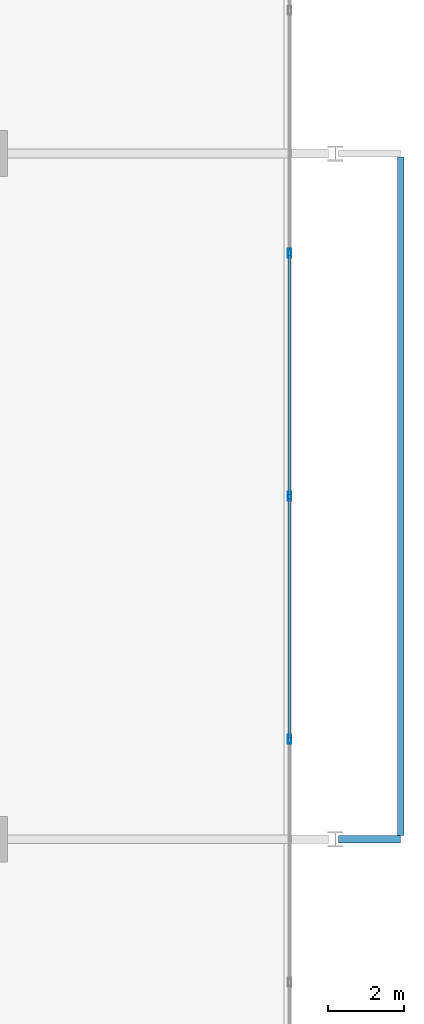
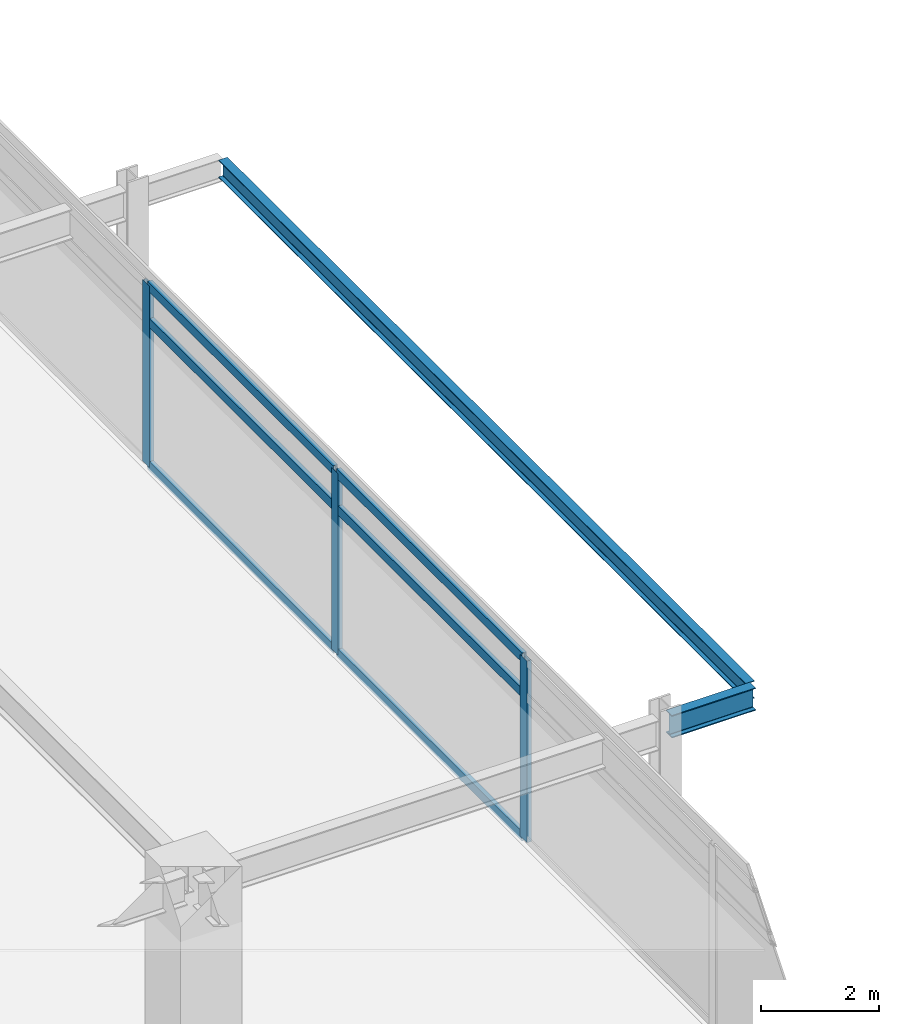
# One storey, part 8 of 19: 9 members, 2 beams, 1 element without a shape of its own.
"""IFC4 building model written with IfcOpenShell, lengths in metres."""

import ifcopenshell
import ifcopenshell.guid

model = None  # the IFC model being written
_history = None  # IfcOwnerHistory: only IFC2X3 demands one
_inside = {}  # id of a spatial element -> (the spatial element, [elements in it])
_under = {}  # id of a project, library or spatial element -> (it, [spatial elements below it])
_declared = {}  # id of a project -> (the project, [libraries it declares])
_typed = {}  # id of a type object -> (the type object, [elements of that type])
_made_of = {}  # id of a material, layer set ... -> (it, [elements and type objects made of it])


def new_model(schema):
    """Start an empty IFC model of exactly this schema.

    Asked for "IFC4X3", IfcOpenShell would pick the latest addendum, in which some entities
    have other attributes; the version numbers below select the first issue.
    IFC2X3 requires an IfcOwnerHistory on every rooted entity: one is made here for all.
    """
    global model, _history
    if schema == "IFC4X3":
        model = ifcopenshell.file(schema_version=(4, 3, 0, 0))
    else:
        model = ifcopenshell.file(schema=schema)
    _inside.clear()
    _under.clear()
    _declared.clear()
    _typed.clear()
    _made_of.clear()
    _history = None
    if model.schema == "IFC2X3":
        org = make("IfcOrganization", Name="unknown")
        user = make(
            "IfcPersonAndOrganization",
            ThePerson=make("IfcPerson", FamilyName="unknown"),
            TheOrganization=org,
        )
        app = make(
            "IfcApplication",
            ApplicationDeveloper=org,
            Version="unknown",
            ApplicationFullName="unknown",
            ApplicationIdentifier="unknown",
        )
        _history = make(
            "IfcOwnerHistory",
            OwningUser=user,
            OwningApplication=app,
            ChangeAction="ADDED",
            CreationDate=0,
        )
    return model


def make(cls, **values):
    """One entity of the class cls with the attributes given. An attribute that is None is left unset."""
    return model.create_entity(
        cls, **{name: value for name, value in values.items() if value is not None}
    )


def rooted(cls, **values):
    """An entity with a GlobalId (a new one), such as an element, a storey or a relation."""
    return make(cls, GlobalId=ifcopenshell.guid.new(), OwnerHistory=_history, **values)


def si_unit(unit_type, name, prefix=None):
    """IfcSIUnit, for example si_unit("LENGTHUNIT", "METRE", prefix="MILLI")."""
    return make("IfcSIUnit", UnitType=unit_type, Prefix=prefix, Name=name)


def assignment(units):
    """IfcUnitAssignment: the units of a project."""
    return None if units is None else make("IfcUnitAssignment", Units=units)


def point(xyz):
    """IfcCartesianPoint."""
    return None if xyz is None else make("IfcCartesianPoint", Coordinates=xyz)


def direction(xyz):
    """IfcDirection."""
    return None if xyz is None else make("IfcDirection", DirectionRatios=xyz)


def frame(location, z_axis=None, x_axis=None):
    """IfcAxis2Placement3D, a coordinate frame: its origin and axes. An axis left out is left unset."""
    return make(
        "IfcAxis2Placement3D",
        Location=point(location),
        Axis=direction(z_axis),
        RefDirection=direction(x_axis),
    )


def frame_2d(location, x_axis=None):
    """IfcAxis2Placement2D, a coordinate frame in the plane: its origin and x axis."""
    return make(
        "IfcAxis2Placement2D", Location=point(location), RefDirection=direction(x_axis)
    )


def origin():
    """The frame at (0, 0, 0) with its axes left unset."""
    return frame((0.0, 0.0, 0.0))


def origin_2d():
    """The frame at (0, 0) in the plane with its x axis left unset."""
    return frame_2d((0.0, 0.0))


def place(relative_to, where):
    """IfcLocalPlacement: puts the frame where relative to a parent placement (None: the world)."""
    return make(
        "IfcLocalPlacement", PlacementRelTo=relative_to, RelativePlacement=where
    )


def context(
    kind, dimensions, precision=None, world=None, true_north=None, identifier=None
):
    """IfcGeometricRepresentationContext, for example the 3D "Model" context."""
    return make(
        "IfcGeometricRepresentationContext",
        ContextIdentifier=identifier,
        ContextType=kind,
        CoordinateSpaceDimension=dimensions,
        Precision=precision,
        WorldCoordinateSystem=world,
        TrueNorth=true_north,
    )


def subcontext(parent, identifier, kind, view, scale=None):
    """IfcGeometricRepresentationSubContext, for example "Body" below "Model"."""
    return make(
        "IfcGeometricRepresentationSubContext",
        ContextIdentifier=identifier,
        ContextType=kind,
        ParentContext=parent,
        TargetScale=scale,
        TargetView=view,
    )


def project(units=None, contexts=None):
    """IfcProject with its units and contexts."""
    return rooted(
        "IfcProject",
        Name="project",
        RepresentationContexts=contexts,
        UnitsInContext=assignment(units),
    )


def spatial(cls, under=None, at=None, **own):
    """A site, building, storey or space (cls), placed at a placement, below another one or the project."""
    s = rooted(cls, ObjectPlacement=at, **own)
    if under is not None:
        _under.setdefault(under.id(), (under, []))[1].append(s)
    return s


def profile(cls, at=None, kind="AREA", **sizes):
    """A parametric profile (cls). Its sizes go by their IFC names, for example OverallWidth=200.0."""
    return make(cls, ProfileType=kind, Position=at, **sizes)


def hollow_rectangle(**sizes):
    """IfcRectangleHollowProfileDef."""
    return profile("IfcRectangleHollowProfileDef", **sizes)


def i_section(**sizes):
    """IfcIShapeProfileDef."""
    return profile("IfcIShapeProfileDef", **sizes)


def extrude(swept, where, along, depth):
    """IfcExtrudedAreaSolid: the profile swept, set in the frame where, extruded along a direction by depth."""
    return make(
        "IfcExtrudedAreaSolid",
        SweptArea=swept,
        Position=where,
        ExtrudedDirection=direction(along),
        Depth=depth,
    )


def shape(context_of_items, identifier, shape_type, items):
    """IfcShapeRepresentation: the items that make up one representation, for example the "Body"."""
    return make(
        "IfcShapeRepresentation",
        ContextOfItems=context_of_items,
        RepresentationIdentifier=identifier,
        RepresentationType=shape_type,
        Items=items,
    )


def material(Name=None, Category=None):
    """IfcMaterial."""
    return make("IfcMaterial", Name=Name, Category=Category)


def material_profile(
    of_material, cross_section, Name=None, Category=None, Priority=None
):
    """IfcMaterialProfile: a cross section and its material."""
    return make(
        "IfcMaterialProfile",
        Name=Name,
        Material=of_material,
        Profile=cross_section,
        Priority=Priority,
        Category=Category,
    )


def profile_set(profiles, Name=None, composite=None):
    """IfcMaterialProfileSet."""
    return make(
        "IfcMaterialProfileSet",
        Name=Name,
        MaterialProfiles=profiles,
        CompositeProfile=composite,
    )


def made_of(thing, what):
    """Note that an element or type object is made of a material, layer set ...; save() writes the relation."""
    if what is not None:
        _made_of.setdefault(what.id(), (what, []))[1].append(thing)
    return thing


def type_object(cls, material=None, **own):
    """A type object (cls), such as IfcWallType, which elements share."""
    return made_of(rooted(cls, **own), material)


def element(
    cls,
    number,
    at=None,
    inside=None,
    cuts=None,
    type_object=None,
    material=None,
    context=None,
    identifier="Body",
    shape_type=None,
    held_by="IfcProductDefinitionShape",
    body=None,
    shapes=None,
    **own,
):
    """One element of the class cls, such as IfcWall. Its Tag is "e" and its number.

    at: its placement. inside: the storey or other place that contains it. cuts: it is an
    opening in that element (IfcRelVoidsElement). A single representation is given by context,
    identifier, shape_type and body (its items); several are given by shapes. held_by: the class
    of the entity that holds the representations. save() writes the other relations.
    """
    e = rooted(cls, Tag="e%d" % number, ObjectPlacement=at, **own)
    if body is not None:
        shapes = [shape(context, identifier, shape_type, body)]
    if shapes is not None:
        e.Representation = make(held_by, Representations=shapes)
    if inside is not None:
        _inside.setdefault(inside.id(), (inside, []))[1].append(e)
    if cuts is not None:
        rooted(
            "IfcRelVoidsElement", RelatingBuildingElement=cuts, RelatedOpeningElement=e
        )
    if type_object is not None:
        _typed.setdefault(type_object.id(), (type_object, []))[1].append(e)
    return made_of(e, material)


def aggregate(whole, parts):
    """IfcRelAggregates: a whole, such as a stair, and the parts it consists of."""
    return rooted("IfcRelAggregates", RelatingObject=whole, RelatedObjects=parts)


def save(model, path):
    """Write the relations noted so far, then the file.

    IfcRelAggregates (storeys below a building ...), IfcRelContainedInSpatialStructure (elements
    in a storey), IfcRelDefinesByType, IfcRelAssociatesMaterial and IfcRelDeclares: one each for
    every whole, place, type object, material and project.
    """
    for whole, parts in _under.values():
        aggregate(whole, parts)
    for where, things in _inside.values():
        rooted(
            "IfcRelContainedInSpatialStructure",
            RelatedElements=things,
            RelatingStructure=where,
        )
    for kind, things in _typed.values():
        rooted("IfcRelDefinesByType", RelatedObjects=things, RelatingType=kind)
    for what, things in _made_of.values():
        rooted("IfcRelAssociatesMaterial", RelatedObjects=things, RelatingMaterial=what)
    for by, libraries in _declared.values():
        rooted("IfcRelDeclares", RelatingContext=by, RelatedDefinitions=libraries)
    model.write(path)


model = new_model("IFC4")

# Units and contexts
model_context = context("Model", 3, precision=1e-05, world=origin(), true_north=direction((0.0, 1.0)))
body_context = subcontext(model_context, "Body", "Model", "MODEL_VIEW")
ifc_project = project(units=[si_unit("LENGTHUNIT", "METRE"), si_unit("AREAUNIT", "SQUARE_METRE"), si_unit("VOLUMEUNIT", "CUBIC_METRE"), si_unit("PLANEANGLEUNIT", "RADIAN"), si_unit("MASSUNIT", "GRAM", prefix="KILO")], contexts=[model_context])

# Site, building, storey
site_placement = place(None, origin())
site = spatial("IfcSite", under=ifc_project, at=site_placement, CompositionType="ELEMENT")
building_placement = place(site_placement, origin())
building = spatial("IfcBuilding", under=site, at=building_placement, Name="Kovane Verandah Tower", CompositionType="ELEMENT")
storey_placement = place(building_placement, frame((0.0, 0.0, 255.199951171875)))
storey = spatial("IfcBuildingStorey", under=building, at=storey_placement, Name="L59", CompositionType="ELEMENT", Elevation=255.199951171875)

# Curtain wall, members
ifc_material_1 = material(Name="Champagne Anodised Aluminium Frame with Low-E Clear Laminated Glass", Category="aluminium")
curtain_wall_type = type_object("IfcCurtainWallType", Name="CW-SYS-05-HIGH", PredefinedType="NOTDEFINED", material=ifc_material_1)
curtain_wall_placement = place(storey_placement, origin())
curtain_wall = element("IfcCurtainWall", 1, at=curtain_wall_placement, inside=storey, type_object=curtain_wall_type, Name="L59 E Unitised Curtain Wall", PredefinedType="NOTDEFINED")
ifc_material_2 = material(Name="Champagne Anodised Aluminium 6063-T6", Category="aluminium")
ifc_material_profile_1 = material_profile(ifc_material_2, hollow_rectangle(XDim=0.0849609375, YDim=0.22998046875, WallThickness=0.00390625, at=origin_2d()), Name="AL85x230x4")
ifc_profile_set_1 = profile_set([ifc_material_profile_1], Name="Champagne Anodised Aluminium 6063-T6")
member_type_1 = type_object("IfcMemberType", Name="CW-MUL-85x230", PredefinedType="MULLION", material=ifc_profile_set_1)
member_1_placement = place(storey_placement, frame((66.396240234375, 21.120849609375, 0.02001953125), z_axis=(0.0, 0.0, 1.0), x_axis=(1.0, 0.0, 0.0)))
member_1 = element("IfcMember", 2, at=member_1_placement, type_object=member_type_1, Name="L59 E Unitised Curtain Wall Mullion 3", PredefinedType="MULLION", context=body_context, shape_type="SweptSolid", body=[
    extrude(hollow_rectangle(XDim=0.0849609375, YDim=0.22998046875, WallThickness=0.00390625, at=origin_2d()), origin(), (0.0, 0.0, 1.0), 3.7451171875),
])
member_2_placement = place(storey_placement, frame((66.396240234375, 27.5, 0.02001953125), z_axis=(0.0, 0.0, 1.0), x_axis=(1.0, 0.0, 0.0)))
member_2 = element("IfcMember", 3, at=member_2_placement, type_object=member_type_1, Name="L59 E Unitised Curtain Wall Mullion 4", PredefinedType="MULLION", context=body_context, shape_type="SweptSolid", body=[
    extrude(hollow_rectangle(XDim=0.0849609375, YDim=0.22998046875, WallThickness=0.00390625, at=origin_2d()), origin(), (0.0, 0.0, 1.0), 3.7451171875),
])
member_3_placement = place(storey_placement, frame((66.396240234375, 33.879150390625, 0.02001953125), z_axis=(0.0, 0.0, 1.0), x_axis=(1.0, 0.0, 0.0)))
member_3 = element("IfcMember", 4, at=member_3_placement, type_object=member_type_1, Name="L59 E Unitised Curtain Wall Mullion 5", PredefinedType="MULLION", context=body_context, shape_type="SweptSolid", body=[
    extrude(hollow_rectangle(XDim=0.0849609375, YDim=0.22998046875, WallThickness=0.00390625, at=origin_2d()), origin(), (0.0, 0.0, 1.0), 3.7451171875),
])
ifc_material_profile_2 = material_profile(ifc_material_2, hollow_rectangle(XDim=0.0849609375, YDim=0.18994140625, WallThickness=0.00390625, at=origin_2d()), Name="AL85x190x4")
ifc_profile_set_2 = profile_set([ifc_material_profile_2], Name="Champagne Anodised Aluminium 6063-T6")
member_type_2 = type_object("IfcMemberType", Name="CW-TRN-85x190", PredefinedType="USERDEFINED", material=ifc_profile_set_2)
member_4_placement = place(storey_placement, frame((66.396240234375, 21.1708984375, 0.050048828125), z_axis=(0.0, 1.0, 0.0), x_axis=(-1.0, 0.0, 0.0)))
member_4 = element("IfcMember", 5, at=member_4_placement, type_object=member_type_2, Name="L59 E Unitised Curtain Wall Transom TB Bay 3", ObjectType="TRANSOM", PredefinedType="USERDEFINED", context=body_context, shape_type="SweptSolid", body=[
    extrude(hollow_rectangle(XDim=0.0849609375, YDim=0.18994140625, WallThickness=0.00390625, at=origin_2d()), origin(), (0.0, 0.0, 1.0), 6.279052734375),
])
member_5_placement = place(storey_placement, frame((66.396240234375, 21.1708984375, 3.005126953125), z_axis=(0.0, 1.0, 0.0), x_axis=(-1.0, 0.0, 0.0)))
member_5 = element("IfcMember", 6, at=member_5_placement, type_object=member_type_2, Name="L59 E Unitised Curtain Wall Transom TM Bay 3", ObjectType="TRANSOM", PredefinedType="USERDEFINED", context=body_context, shape_type="SweptSolid", body=[
    extrude(hollow_rectangle(XDim=0.0849609375, YDim=0.18994140625, WallThickness=0.00390625, at=origin_2d()), origin(), (0.0, 0.0, 1.0), 6.279052734375),
])
member_6_placement = place(storey_placement, frame((66.396240234375, 21.1708984375, 3.735107421875), z_axis=(0.0, 1.0, 0.0), x_axis=(-1.0, 0.0, 0.0)))
member_6 = element("IfcMember", 7, at=member_6_placement, type_object=member_type_2, Name="L59 E Unitised Curtain Wall Transom TT Bay 3", ObjectType="TRANSOM", PredefinedType="USERDEFINED", context=body_context, shape_type="SweptSolid", body=[
    extrude(hollow_rectangle(XDim=0.0849609375, YDim=0.18994140625, WallThickness=0.00390625, at=origin_2d()), origin(), (0.0, 0.0, 1.0), 6.279052734375),
])
member_7_placement = place(storey_placement, frame((66.396240234375, 27.550048828125, 0.050048828125), z_axis=(0.0, 1.0, 0.0), x_axis=(-1.0, 0.0, 0.0)))
member_7 = element("IfcMember", 8, at=member_7_placement, type_object=member_type_2, Name="L59 E Unitised Curtain Wall Transom TB Bay 4", ObjectType="TRANSOM", PredefinedType="USERDEFINED", context=body_context, shape_type="SweptSolid", body=[
    extrude(hollow_rectangle(XDim=0.0849609375, YDim=0.18994140625, WallThickness=0.00390625, at=origin_2d()), origin(), (0.0, 0.0, 1.0), 6.279052734375),
])
member_8_placement = place(storey_placement, frame((66.396240234375, 27.550048828125, 3.005126953125), z_axis=(0.0, 1.0, 0.0), x_axis=(-1.0, 0.0, 0.0)))
member_8 = element("IfcMember", 9, at=member_8_placement, type_object=member_type_2, Name="L59 E Unitised Curtain Wall Transom TM Bay 4", ObjectType="TRANSOM", PredefinedType="USERDEFINED", context=body_context, shape_type="SweptSolid", body=[
    extrude(hollow_rectangle(XDim=0.0849609375, YDim=0.18994140625, WallThickness=0.00390625, at=origin_2d()), origin(), (0.0, 0.0, 1.0), 6.279052734375),
])
member_9_placement = place(storey_placement, frame((66.396240234375, 27.550048828125, 3.735107421875), z_axis=(0.0, 1.0, 0.0), x_axis=(-1.0, 0.0, 0.0)))
member_9 = element("IfcMember", 10, at=member_9_placement, type_object=member_type_2, Name="L59 E Unitised Curtain Wall Transom TT Bay 4", ObjectType="TRANSOM", PredefinedType="USERDEFINED", context=body_context, shape_type="SweptSolid", body=[
    extrude(hollow_rectangle(XDim=0.0849609375, YDim=0.18994140625, WallThickness=0.00390625, at=origin_2d()), origin(), (0.0, 0.0, 1.0), 6.279052734375),
])
aggregate(curtain_wall, [member_1, member_2, member_3, member_4, member_5, member_6, member_7, member_8, member_9])

# Beams
ifc_material_3 = material(Name="Steel S355", Category="steel")
ifc_material_profile_3 = material_profile(ifc_material_3, i_section(OverallWidth=0.19287109375, OverallDepth=0.46728515625, WebThickness=0.011474609375, FlangeThickness=0.01953125, FilletRadius=0.01025390625, at=origin_2d()), Name="UB457x191x98")
ifc_profile_set_3 = profile_set([ifc_material_profile_3], Name="Steel S355")
beam_type_1 = type_object("IfcBeamType", Name="JST-UB457x98", PredefinedType="JOIST", material=ifc_profile_set_3)
beam_1_placement = place(storey_placement, frame((67.679931640625, 18.5, 3.5263671875), z_axis=(1.0, 0.0, 0.0), x_axis=(0.0, 1.0, 0.0)))
element("IfcBeam", 11, at=beam_1_placement, inside=storey, type_object=beam_type_1, Name="L59 East Planter Girder 1", PredefinedType="JOIST", context=body_context, shape_type="SweptSolid", body=[
    extrude(i_section(OverallWidth=0.19287109375, OverallDepth=0.46728515625, WebThickness=0.011474609375, FlangeThickness=0.01953125, FilletRadius=0.01025390625, at=origin_2d()), origin(), (0.0, 0.0, 1.0), 1.636474609375),
])
ifc_material_profile_4 = material_profile(ifc_material_3, i_section(OverallWidth=0.173095703125, OverallDepth=0.36328125, WebThickness=0.009033203125, FlangeThickness=0.015625, FilletRadius=0.01025390625, at=origin_2d()), Name="UB356x171x67")
ifc_profile_set_4 = profile_set([ifc_material_profile_4], Name="Steel S355")
beam_type_2 = type_object("IfcBeamType", Name="SPD-UB356x67", PredefinedType="USERDEFINED", material=ifc_profile_set_4)
beam_2_placement = place(storey_placement, frame((69.31640625, 18.594482421875, 3.578369140625), z_axis=(0.0, 1.0, 0.0), x_axis=(-1.0, 0.0, 0.0)))
element("IfcBeam", 12, at=beam_2_placement, inside=storey, type_object=beam_type_2, Name="L59 East Planter Edge Spandrel", ObjectType="SPANDREL", PredefinedType="USERDEFINED", context=body_context, shape_type="SweptSolid", body=[
    extrude(i_section(OverallWidth=0.173095703125, OverallDepth=0.36328125, WebThickness=0.009033203125, FlangeThickness=0.015625, FilletRadius=0.01025390625, at=origin_2d()), origin(), (0.0, 0.0, 1.0), 17.81103515625),
])

save(model, "model.ifc")
